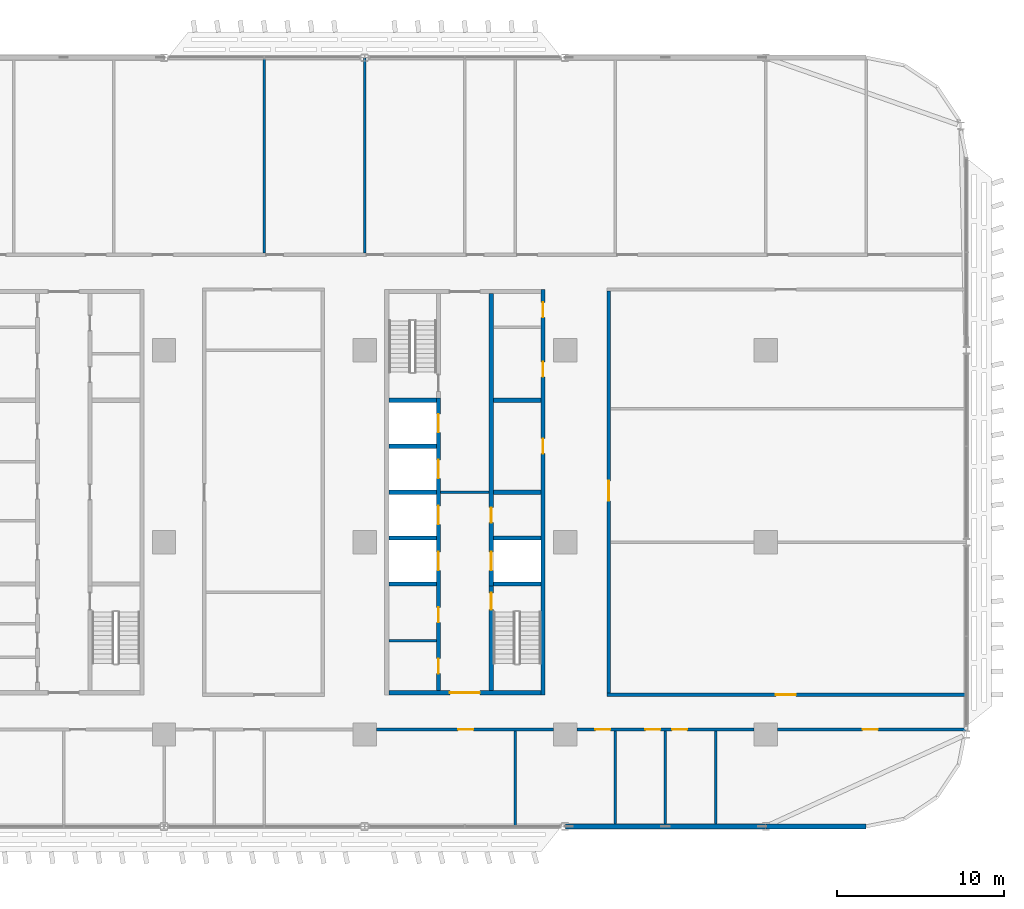
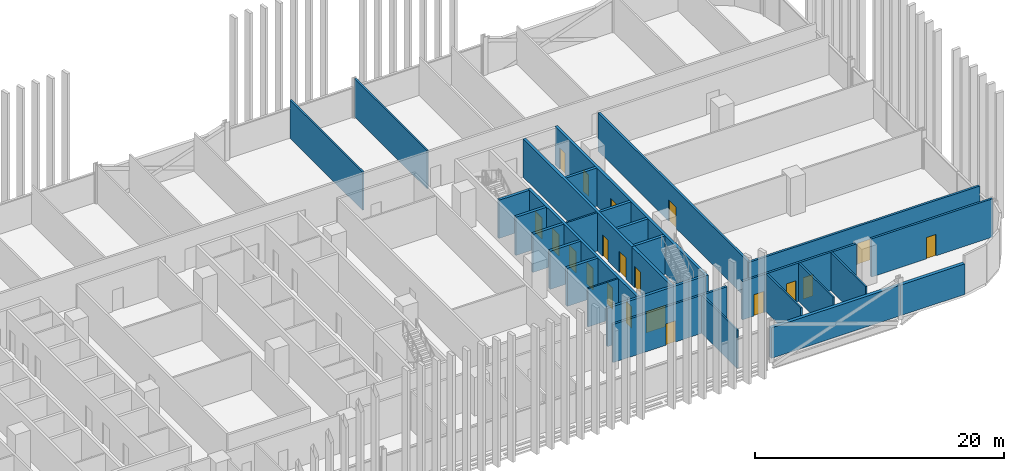
# One storey, part 16 of 31: 29 walls, 20 doors, 20 openings.
"""IFC4 building model written with IfcOpenShell, lengths in metres."""

from ifc_helpers import new_model, si_unit, direction, frame, frame_2d, origin, place, context, subcontext, project, spatial, rectangle, extrude, material, layer, layer_set, type_object, element, fill, save


model = new_model("IFC4")

# Units and contexts
model_context = context("Model", 3, precision=1e-05, world=origin(), true_north=direction((0.0, 1.0)))
body_context = subcontext(model_context, "Body", "Model", "MODEL_VIEW")
ifc_project = project(units=[si_unit("LENGTHUNIT", "METRE"), si_unit("AREAUNIT", "SQUARE_METRE"), si_unit("VOLUMEUNIT", "CUBIC_METRE"), si_unit("PLANEANGLEUNIT", "RADIAN"), si_unit("MASSUNIT", "GRAM", prefix="KILO")], contexts=[model_context])

# Site, building, storey
site_placement = place(None, origin())
site = spatial("IfcSite", under=ifc_project, at=site_placement, CompositionType="ELEMENT")
building_placement = place(site_placement, origin())
building = spatial("IfcBuilding", under=site, at=building_placement, Name="Mahtab Terrace Research Tower", CompositionType="ELEMENT")
storey_placement = place(building_placement, frame((0.0, 0.0, 101.199951171875)))
storey = spatial("IfcBuildingStorey", under=building, at=storey_placement, Name="L23", CompositionType="ELEMENT", Elevation=101.199951171875)

# Walls
ifc_material_1 = material(Name="Gypsum board partition")
ifc_layer_1 = layer(ifc_material_1, 0.14990234375)
ifc_layer_set_1 = layer_set([ifc_layer_1], Name="Core partition 150")
wall_type_1 = type_object("IfcWallType", Name="Core partition 150", PredefinedType="PARTITIONING", material=ifc_layer_set_1)
wall_1_placement = place(storey_placement, frame((22.550048828125, 3.0, 0.0), z_axis=(0.0, 0.0, 1.0), x_axis=(1.0, 0.0, 0.0)))
element("IfcWall", 1, at=wall_1_placement, inside=storey, type_object=wall_type_1, Name="Core wall C ffl", PredefinedType="PARTITIONING", context=body_context, shape_type="SweptSolid", body=[
    extrude(rectangle(XDim=2.89990234375, YDim=0.14990234375, at=frame_2d((1.449951171875, 0.0))), origin(), (0.0, 0.0, 1.0), 3.760009765625),
])
wall_2_placement = place(storey_placement, frame((19.449951171875, -5.875, 0.0), z_axis=(0.0, 0.0, 1.0), x_axis=(1.0, 0.0, 0.0)))
element("IfcWall", 2, at=wall_2_placement, inside=storey, type_object=wall_type_1, Name="Core wall C pWS-888", PredefinedType="PARTITIONING", context=body_context, shape_type="SweptSolid", body=[
    extrude(rectangle(XDim=2.85009765625, YDim=0.14990234375, at=frame_2d((1.425048828125, 0.0))), origin(), (0.0, 0.0, 1.0), 3.760009765625),
])

# Wall, openings, doors
ifc_material_2 = material(Name="Concrete C70/85", Category="concrete")
ifc_layer_2 = layer(ifc_material_2, 0.25)
ifc_layer_set_2 = layer_set([ifc_layer_2], Name="Core wall 250")
wall_type_2 = type_object("IfcWallType", Name="Core wall 250", PredefinedType="SOLIDWALL", material=ifc_layer_set_2)
wall_3_placement = place(storey_placement, frame((28.675048828125, -9.125, 0.0), z_axis=(0.0, 0.0, 1.0), x_axis=(0.0, 1.0, 0.0)))
wall_3 = element("IfcWall", 3, at=wall_3_placement, inside=storey, type_object=wall_type_2, Name="Core wall C outerE", PredefinedType="SOLIDWALL", context=body_context, shape_type="SweptSolid", body=[
    extrude(rectangle(XDim=24.25, YDim=0.25, at=frame_2d((12.125, 0.0))), origin(), (0.0, 0.0, 1.0), 3.760009765625),
])
opening_1_placement = place(wall_3_placement, frame((14.425048828125, 0.0, 0.0)))
opening_1 = element("IfcOpeningElement", 4, at=opening_1_placement, cuts=wall_3, Name="Opening C-R2", PredefinedType="OPENING", context=body_context, shape_type="SweptSolid", body=[
    extrude(rectangle(XDim=0.89990234375, YDim=2.10009765625, at=frame_2d((0.449951171875, 1.050048828125))), frame((0.0, 0.135009765625, 0.0), z_axis=(0.0, -1.0, 0.0), x_axis=(1.0, 0.0, 0.0)), (0.0, 0.0, 1.0), 0.27001953125),
])
opening_2_placement = place(wall_3_placement, frame((19.02490234375, 0.0, 0.0)))
opening_2 = element("IfcOpeningElement", 5, at=opening_2_placement, cuts=wall_3, Name="Opening C-R5", PredefinedType="OPENING", context=body_context, shape_type="SweptSolid", body=[
    extrude(rectangle(XDim=0.89990234375, YDim=2.10009765625, at=frame_2d((0.449951171875, 1.050048828125))), frame((0.0, 0.135009765625, 0.0), z_axis=(0.0, -1.0, 0.0), x_axis=(1.0, 0.0, 0.0)), (0.0, 0.0, 1.0), 0.27001953125),
])
opening_3_placement = place(wall_3_placement, frame((22.58740234375, 0.0, 0.0)))
opening_3 = element("IfcOpeningElement", 6, at=opening_3_placement, cuts=wall_3, Name="Opening C-R6", PredefinedType="OPENING", context=body_context, shape_type="SweptSolid", body=[
    extrude(rectangle(XDim=0.89990234375, YDim=2.10009765625, at=frame_2d((0.449951171875, 1.050048828125))), frame((0.0, 0.135009765625, 0.0), z_axis=(0.0, -1.0, 0.0), x_axis=(1.0, 0.0, 0.0)), (0.0, 0.0, 1.0), 0.27001953125),
])
ifc_material_3 = material(Name="Steel fire door", Category="steel")
door_type_1 = type_object("IfcDoorType", Name="Room door 900x2100 1 HR", OperationType="NOTDEFINED", PredefinedType="DOOR", material=ifc_material_3)
door_1_placement = place(opening_1_placement, origin())
door_1 = element("IfcDoor", 7, at=door_1_placement, inside=storey, type_object=door_type_1, Name="Plant room door", OperationType="SINGLE_SWING_RIGHT", OverallHeight=2.10009765625, OverallWidth=0.89990234375, PredefinedType="DOOR", context=body_context, shape_type="SweptSolid", body=[
    extrude(rectangle(XDim=0.89990234375, YDim=2.10009765625, at=frame_2d((0.449951171875, 1.050048828125))), frame((0.0, 0.02490234375, 0.0), z_axis=(0.0, -1.0, 0.0), x_axis=(1.0, 0.0, 0.0)), (0.0, 0.0, 1.0), 0.050048828125),
])
fill(opening_1, door_1)
door_2_placement = place(opening_2_placement, origin())
door_2 = element("IfcDoor", 8, at=door_2_placement, inside=storey, type_object=door_type_1, Name="IT equipment room door", OperationType="SINGLE_SWING_LEFT", OverallHeight=2.10009765625, OverallWidth=0.89990234375, PredefinedType="DOOR", context=body_context, shape_type="SweptSolid", body=[
    extrude(rectangle(XDim=0.89990234375, YDim=2.10009765625, at=frame_2d((0.449951171875, 1.050048828125))), frame((0.0, 0.02490234375, 0.0), z_axis=(0.0, -1.0, 0.0), x_axis=(1.0, 0.0, 0.0)), (0.0, 0.0, 1.0), 0.050048828125),
])
fill(opening_2, door_2)
door_3_placement = place(opening_3_placement, origin())
door_3 = element("IfcDoor", 9, at=door_3_placement, inside=storey, type_object=door_type_1, Name="Electrical riser room door", OperationType="SINGLE_SWING_RIGHT", OverallHeight=2.10009765625, OverallWidth=0.89990234375, PredefinedType="DOOR", context=body_context, shape_type="SweptSolid", body=[
    extrude(rectangle(XDim=0.89990234375, YDim=2.10009765625, at=frame_2d((0.449951171875, 1.050048828125))), frame((0.0, 0.02490234375, 0.0), z_axis=(0.0, -1.0, 0.0), x_axis=(1.0, 0.0, 0.0)), (0.0, 0.0, 1.0), 0.050048828125),
])
fill(opening_3, door_3)

# Wall, opening, door
wall_4_placement = place(storey_placement, frame((28.550048828125, -9.0, 0.0), z_axis=(0.0, 0.0, 1.0), x_axis=(-1.0, 0.0, 0.0)))
wall_4 = element("IfcWall", 10, at=wall_4_placement, inside=storey, type_object=wall_type_2, Name="Core wall C endS", PredefinedType="SOLIDWALL", context=body_context, shape_type="SweptSolid", body=[
    extrude(rectangle(XDim=9.10009765625, YDim=0.25, at=frame_2d((4.550048828125, 0.0))), origin(), (0.0, 0.0, 1.0), 3.760009765625),
])
opening_4_placement = place(wall_4_placement, frame((3.64990234375, 0.0, 0.0)))
opening_4 = element("IfcOpeningElement", 11, at=opening_4_placement, cuts=wall_4, Name="Opening C-S1", PredefinedType="OPENING", context=body_context, shape_type="SweptSolid", body=[
    extrude(rectangle(XDim=1.800048828125, YDim=2.10009765625, at=frame_2d((0.89990234375, 1.050048828125))), frame((0.0, 0.135009765625, 0.0), z_axis=(0.0, -1.0, 0.0), x_axis=(1.0, 0.0, 0.0)), (0.0, 0.0, 1.0), 0.27001953125),
])
door_type_2 = type_object("IfcDoorType", Name="Lobby double door 1800x2100 1 HR", OperationType="DOUBLE_DOOR_SINGLE_SWING", PredefinedType="DOOR", material=ifc_material_3)
door_4_placement = place(opening_4_placement, origin())
door_4 = element("IfcDoor", 12, at=door_4_placement, inside=storey, type_object=door_type_2, Name="Core entrance door C S", OperationType="DOUBLE_DOOR_SINGLE_SWING", OverallHeight=2.10009765625, OverallWidth=1.800048828125, PredefinedType="DOOR", context=body_context, shape_type="SweptSolid", body=[
    extrude(rectangle(XDim=1.800048828125, YDim=2.10009765625, at=frame_2d((0.89990234375, 1.050048828125))), frame((0.0, 0.02490234375, 0.0), z_axis=(0.0, -1.0, 0.0), x_axis=(1.0, 0.0, 0.0)), (0.0, 0.0, 1.0), 0.050048828125),
])
fill(opening_4, door_4)

# Wall, openings, doors
wall_5_placement = place(storey_placement, frame((22.425048828125, -8.875, 0.0), z_axis=(0.0, 0.0, 1.0), x_axis=(0.0, 1.0, 0.0)))
wall_5 = element("IfcWall", 13, at=wall_5_placement, inside=storey, type_object=wall_type_2, Name="Core wall C innerWSL", PredefinedType="SOLIDWALL", context=body_context, shape_type="SweptSolid", body=[
    extrude(rectangle(XDim=17.5, YDim=0.25, at=frame_2d((8.75, 0.0))), origin(), (0.0, 0.0, 1.0), 3.760009765625),
])
opening_5_placement = place(wall_5_placement, frame((7.199951171875, 0.0, 0.0)))
opening_5 = element("IfcOpeningElement", 14, at=opening_5_placement, cuts=wall_5, Name="Opening LD17-L23", PredefinedType="OPENING", context=body_context, shape_type="SweptSolid", body=[
    extrude(rectangle(XDim=1.10009765625, YDim=2.10009765625, at=frame_2d((0.550048828125, 1.050048828125))), frame((0.0, 0.135009765625, 0.0), z_axis=(0.0, -1.0, 0.0), x_axis=(1.0, 0.0, 0.0)), (0.0, 0.0, 1.0), 0.27001953125),
])
opening_6_placement = place(wall_5_placement, frame((9.949951171875, 0.0, 0.0)))
opening_6 = element("IfcOpeningElement", 15, at=opening_6_placement, cuts=wall_5, Name="Opening LD18-L23", PredefinedType="OPENING", context=body_context, shape_type="SweptSolid", body=[
    extrude(rectangle(XDim=1.10009765625, YDim=2.10009765625, at=frame_2d((0.550048828125, 1.050048828125))), frame((0.0, 0.135009765625, 0.0), z_axis=(0.0, -1.0, 0.0), x_axis=(1.0, 0.0, 0.0)), (0.0, 0.0, 1.0), 0.27001953125),
])
opening_7_placement = place(wall_5_placement, frame((12.699951171875, 0.0, 0.0)))
opening_7 = element("IfcOpeningElement", 16, at=opening_7_placement, cuts=wall_5, Name="Opening LD19-L23", PredefinedType="OPENING", context=body_context, shape_type="SweptSolid", body=[
    extrude(rectangle(XDim=1.10009765625, YDim=2.10009765625, at=frame_2d((0.550048828125, 1.050048828125))), frame((0.0, 0.135009765625, 0.0), z_axis=(0.0, -1.0, 0.0), x_axis=(1.0, 0.0, 0.0)), (0.0, 0.0, 1.0), 0.27001953125),
])
opening_8_placement = place(wall_5_placement, frame((15.449951171875, 0.0, 0.0)))
opening_8 = element("IfcOpeningElement", 17, at=opening_8_placement, cuts=wall_5, Name="Opening LD20-L23", PredefinedType="OPENING", context=body_context, shape_type="SweptSolid", body=[
    extrude(rectangle(XDim=1.10009765625, YDim=2.10009765625, at=frame_2d((0.550048828125, 1.050048828125))), frame((0.0, 0.135009765625, 0.0), z_axis=(0.0, -1.0, 0.0), x_axis=(1.0, 0.0, 0.0)), (0.0, 0.0, 1.0), 0.27001953125),
])
opening_9_placement = place(wall_5_placement, frame((1.012451171875, 0.0, 0.0)))
opening_9 = element("IfcOpeningElement", 18, at=opening_9_placement, cuts=wall_5, Name="Opening C-R3", PredefinedType="OPENING", context=body_context, shape_type="SweptSolid", body=[
    extrude(rectangle(XDim=0.89990234375, YDim=2.10009765625, at=frame_2d((0.449951171875, 1.050048828125))), frame((0.0, 0.135009765625, 0.0), z_axis=(0.0, -1.0, 0.0), x_axis=(1.0, 0.0, 0.0)), (0.0, 0.0, 1.0), 0.27001953125),
])
opening_10_placement = place(wall_5_placement, frame((4.08740234375, 0.0, 0.0)))
opening_10 = element("IfcOpeningElement", 19, at=opening_10_placement, cuts=wall_5, Name="Opening C-R4", PredefinedType="OPENING", context=body_context, shape_type="SweptSolid", body=[
    extrude(rectangle(XDim=0.89990234375, YDim=2.10009765625, at=frame_2d((0.449951171875, 1.050048828125))), frame((0.0, 0.135009765625, 0.0), z_axis=(0.0, -1.0, 0.0), x_axis=(1.0, 0.0, 0.0)), (0.0, 0.0, 1.0), 0.27001953125),
])
ifc_material_4 = material(Name="Stainless steel AISI 304", Category="steel")
door_type_3 = type_object("IfcDoorType", Name="Landing door 1100x2100", OperationType="DOUBLE_DOOR_SLIDING", PredefinedType="DOOR", material=ifc_material_4)
door_5_placement = place(opening_5_placement, origin())
door_5 = element("IfcDoor", 20, at=door_5_placement, inside=storey, type_object=door_type_3, Name="Landing door SV1 L23", OperationType="DOUBLE_DOOR_SLIDING", OverallHeight=2.10009765625, OverallWidth=1.10009765625, PredefinedType="DOOR", context=body_context, shape_type="SweptSolid", body=[
    extrude(rectangle(XDim=1.10009765625, YDim=2.10009765625, at=frame_2d((0.550048828125, 1.050048828125))), frame((0.0, 0.02490234375, 0.0), z_axis=(0.0, -1.0, 0.0), x_axis=(1.0, 0.0, 0.0)), (0.0, 0.0, 1.0), 0.050048828125),
])
fill(opening_5, door_5)
door_6_placement = place(opening_6_placement, origin())
door_6 = element("IfcDoor", 21, at=door_6_placement, inside=storey, type_object=door_type_3, Name="Landing door SV2 L23", OperationType="DOUBLE_DOOR_SLIDING", OverallHeight=2.10009765625, OverallWidth=1.10009765625, PredefinedType="DOOR", context=body_context, shape_type="SweptSolid", body=[
    extrude(rectangle(XDim=1.10009765625, YDim=2.10009765625, at=frame_2d((0.550048828125, 1.050048828125))), frame((0.0, 0.02490234375, 0.0), z_axis=(0.0, -1.0, 0.0), x_axis=(1.0, 0.0, 0.0)), (0.0, 0.0, 1.0), 0.050048828125),
])
fill(opening_6, door_6)
door_7_placement = place(opening_7_placement, origin())
door_7 = element("IfcDoor", 22, at=door_7_placement, inside=storey, type_object=door_type_3, Name="Landing door FF1 L23", OperationType="DOUBLE_DOOR_SLIDING", OverallHeight=2.10009765625, OverallWidth=1.10009765625, PredefinedType="DOOR", context=body_context, shape_type="SweptSolid", body=[
    extrude(rectangle(XDim=1.10009765625, YDim=2.10009765625, at=frame_2d((0.550048828125, 1.050048828125))), frame((0.0, 0.02490234375, 0.0), z_axis=(0.0, -1.0, 0.0), x_axis=(1.0, 0.0, 0.0)), (0.0, 0.0, 1.0), 0.050048828125),
])
fill(opening_7, door_7)
door_8_placement = place(opening_8_placement, origin())
door_8 = element("IfcDoor", 23, at=door_8_placement, inside=storey, type_object=door_type_3, Name="Landing door FF2 L23", OperationType="DOUBLE_DOOR_SLIDING", OverallHeight=2.10009765625, OverallWidth=1.10009765625, PredefinedType="DOOR", context=body_context, shape_type="SweptSolid", body=[
    extrude(rectangle(XDim=1.10009765625, YDim=2.10009765625, at=frame_2d((0.550048828125, 1.050048828125))), frame((0.0, 0.02490234375, 0.0), z_axis=(0.0, -1.0, 0.0), x_axis=(1.0, 0.0, 0.0)), (0.0, 0.0, 1.0), 0.050048828125),
])
fill(opening_8, door_8)
door_9_placement = place(opening_9_placement, origin())
door_9 = element("IfcDoor", 24, at=door_9_placement, inside=storey, type_object=door_type_1, Name="Staff WC door", OperationType="SINGLE_SWING_LEFT", OverallHeight=2.10009765625, OverallWidth=0.89990234375, PredefinedType="DOOR", context=body_context, shape_type="SweptSolid", body=[
    extrude(rectangle(XDim=0.89990234375, YDim=2.10009765625, at=frame_2d((0.449951171875, 1.050048828125))), frame((0.0, 0.02490234375, 0.0), z_axis=(0.0, -1.0, 0.0), x_axis=(1.0, 0.0, 0.0)), (0.0, 0.0, 1.0), 0.050048828125),
])
fill(opening_9, door_9)
door_10_placement = place(opening_10_placement, origin())
door_10 = element("IfcDoor", 25, at=door_10_placement, inside=storey, type_object=door_type_1, Name="Accessible WC door", OperationType="SINGLE_SWING_RIGHT", OverallHeight=2.10009765625, OverallWidth=0.89990234375, PredefinedType="DOOR", context=body_context, shape_type="SweptSolid", body=[
    extrude(rectangle(XDim=0.89990234375, YDim=2.10009765625, at=frame_2d((0.449951171875, 1.050048828125))), frame((0.0, 0.02490234375, 0.0), z_axis=(0.0, -1.0, 0.0), x_axis=(1.0, 0.0, 0.0)), (0.0, 0.0, 1.0), 0.050048828125),
])
fill(opening_10, door_10)

# Wall, opening, door
wall_6_placement = place(storey_placement, frame((25.574951171875, -8.875, 0.0), z_axis=(0.0, 0.0, 1.0), x_axis=(0.0, 1.0, 0.0)))
wall_6 = element("IfcWall", 26, at=wall_6_placement, inside=storey, type_object=wall_type_2, Name="Core wall C innerES", PredefinedType="SOLIDWALL", context=body_context, shape_type="SweptSolid", body=[
    extrude(rectangle(XDim=6.25, YDim=0.25, at=frame_2d((3.125, 0.0))), origin(), (0.0, 0.0, 1.0), 3.760009765625),
])
opening_11_placement = place(wall_6_placement, frame((4.85009765625, 0.0, 0.0)))
opening_11 = element("IfcOpeningElement", 27, at=opening_11_placement, cuts=wall_6, Name="Opening C-ST4", PredefinedType="OPENING", context=body_context, shape_type="SweptSolid", body=[
    extrude(rectangle(XDim=1.0, YDim=2.10009765625, at=frame_2d((0.5, 1.050048828125))), frame((0.0, 0.135009765625, 0.0), z_axis=(0.0, -1.0, 0.0), x_axis=(1.0, 0.0, 0.0)), (0.0, 0.0, 1.0), 0.27001953125),
])
door_type_4 = type_object("IfcDoorType", Name="Stair door 1000x2100 1.5 HR", OperationType="NOTDEFINED", PredefinedType="DOOR", material=ifc_material_3)
door_11_placement = place(opening_11_placement, origin())
door_11 = element("IfcDoor", 28, at=door_11_placement, inside=storey, type_object=door_type_4, Name="Stair door ST4 L23", OperationType="SINGLE_SWING_RIGHT", OverallHeight=2.10009765625, OverallWidth=1.0, PredefinedType="DOOR", context=body_context, shape_type="SweptSolid", body=[
    extrude(rectangle(XDim=1.0, YDim=2.10009765625, at=frame_2d((0.5, 1.050048828125))), frame((0.0, 0.02490234375, 0.0), z_axis=(0.0, -1.0, 0.0), x_axis=(1.0, 0.0, 0.0)), (0.0, 0.0, 1.0), 0.050048828125),
])
fill(opening_11, door_11)

# Wall, openings, doors
wall_7_placement = place(storey_placement, frame((25.574951171875, 14.875, 0.0), z_axis=(0.0, 0.0, 1.0), x_axis=(0.0, -1.0, 0.0)))
wall_7 = element("IfcWall", 29, at=wall_7_placement, inside=storey, type_object=wall_type_2, Name="Core wall C innerELN", PredefinedType="SOLIDWALL", context=body_context, shape_type="SweptSolid", body=[
    extrude(rectangle(XDim=17.5, YDim=0.25, at=frame_2d((8.75, 0.0))), origin(), (0.0, 0.0, 1.0), 3.760009765625),
])
opening_12_placement = place(wall_7_placement, frame((15.449951171875, 0.0, 0.0)))
opening_12 = element("IfcOpeningElement", 30, at=opening_12_placement, cuts=wall_7, Name="Opening LD21-L23", PredefinedType="OPENING", context=body_context, shape_type="SweptSolid", body=[
    extrude(rectangle(XDim=1.10009765625, YDim=2.10009765625, at=frame_2d((0.550048828125, 1.050048828125))), frame((0.0, 0.135009765625, 0.0), z_axis=(0.0, -1.0, 0.0), x_axis=(1.0, 0.0, 0.0)), (0.0, 0.0, 1.0), 0.27001953125),
])
opening_13_placement = place(wall_7_placement, frame((12.800048828125, 0.0, 0.0)))
opening_13 = element("IfcOpeningElement", 31, at=opening_13_placement, cuts=wall_7, Name="Opening C-R1", PredefinedType="OPENING", context=body_context, shape_type="SweptSolid", body=[
    extrude(rectangle(XDim=0.89990234375, YDim=2.10009765625, at=frame_2d((0.449951171875, 1.050048828125))), frame((0.0, 0.135009765625, 0.0), z_axis=(0.0, -1.0, 0.0), x_axis=(1.0, 0.0, 0.0)), (0.0, 0.0, 1.0), 0.27001953125),
])
door_12_placement = place(opening_12_placement, origin())
door_12 = element("IfcDoor", 32, at=door_12_placement, inside=storey, type_object=door_type_3, Name="Landing door SV3 L23", OperationType="DOUBLE_DOOR_SLIDING", OverallHeight=2.10009765625, OverallWidth=1.10009765625, PredefinedType="DOOR", context=body_context, shape_type="SweptSolid", body=[
    extrude(rectangle(XDim=1.10009765625, YDim=2.10009765625, at=frame_2d((0.550048828125, 1.050048828125))), frame((0.0, 0.02490234375, 0.0), z_axis=(0.0, -1.0, 0.0), x_axis=(1.0, 0.0, 0.0)), (0.0, 0.0, 1.0), 0.050048828125),
])
fill(opening_12, door_12)
door_13_placement = place(opening_13_placement, origin())
door_13 = element("IfcDoor", 33, at=door_13_placement, inside=storey, type_object=door_type_1, Name="Plant room door", OperationType="SINGLE_SWING_LEFT", OverallHeight=2.10009765625, OverallWidth=0.89990234375, PredefinedType="DOOR", context=body_context, shape_type="SweptSolid", body=[
    extrude(rectangle(XDim=0.89990234375, YDim=2.10009765625, at=frame_2d((0.449951171875, 1.050048828125))), frame((0.0, 0.02490234375, 0.0), z_axis=(0.0, -1.0, 0.0), x_axis=(1.0, 0.0, 0.0)), (0.0, 0.0, 1.0), 0.050048828125),
])
fill(opening_13, door_13)

# Walls
for number, where, z_axis, x_axis, name in (
    (34, (19.449951171875, -2.5, 0.0), (0.0, 0.0, 1.0), (1.0, 0.0, 0.0), "Core wall C divW0"),
    (35, (19.449951171875, 0.25, 0.0), (0.0, 0.0, 1.0), (1.0, 0.0, 0.0), "Core wall C divW1"),
    (36, (19.449951171875, 3.0, 0.0), (0.0, 0.0, 1.0), (1.0, 0.0, 0.0), "Core wall C divW2"),
    (37, (19.449951171875, 5.75, 0.0), (0.0, 0.0, 1.0), (1.0, 0.0, 0.0), "Core wall C divW3"),
    (38, (19.449951171875, 8.5, 0.0), (0.0, 0.0, 1.0), (1.0, 0.0, 0.0), "Core wall C divW4"),
    (39, (25.699951171875, -2.5, 0.0), (0.0, 0.0, 1.0), (1.0, 0.0, 0.0), "Core wall C divE0"),
    (40, (25.699951171875, 0.25, 0.0), (0.0, 0.0, 1.0), (1.0, 0.0, 0.0), "Core wall C divE1"),
    (41, (25.699951171875, 3.0, 0.0), (0.0, 0.0, 1.0), (1.0, 0.0, 0.0), "Core wall C divE2"),
    (42, (25.699951171875, 8.5, 0.0), (0.0, 0.0, 1.0), (1.0, 0.0, 0.0), "Core wall C divE4"),
):
    element("IfcWall", number, at=place(storey_placement, frame(where, z_axis=z_axis, x_axis=x_axis)), inside=storey, type_object=wall_type_2, Name=name, PredefinedType="SOLIDWALL", context=body_context, shape_type="SweptSolid", body=[
        extrude(rectangle(XDim=2.85009765625, YDim=0.25, at=frame_2d((1.425048828125, 0.0))), origin(), (0.0, 0.0, 1.0), 3.760009765625),
    ])
ifc_material_5 = material(Name="Black aluminium cladding panel", Category="aluminium")
ifc_layer_3 = layer(ifc_material_5, 0.300048828125)
ifc_layer_set_3 = layer_set([ifc_layer_3], Name="Opaque facade wall 300")
wall_type_3 = type_object("IfcWallType", Name="Opaque facade wall 300", PredefinedType="NOTDEFINED", material=ifc_layer_set_3)
wall_8_placement = place(storey_placement, frame((30.02099609375, -17.0, 0.0), z_axis=(0.0, 0.0, 1.0), x_axis=(1.0, 0.0, 0.0)))
element("IfcWall", 43, at=wall_8_placement, inside=storey, type_object=wall_type_3, Name="Opaque facade wall L23 S29", PredefinedType="NOTDEFINED", context=body_context, shape_type="SweptSolid", body=[
    extrude(rectangle(XDim=11.9580078125, YDim=0.300048828125, at=frame_2d((5.97900390625, 0.0))), origin(), (0.0, 0.0, 1.0), 3.003173828125),
])
wall_9_placement = place(storey_placement, frame((42.02099609375, -17.0, 0.0), z_axis=(0.0, 0.0, 1.0), x_axis=(1.0, 0.0, 0.0)))
element("IfcWall", 44, at=wall_9_placement, inside=storey, type_object=wall_type_3, Name="Opaque facade wall L23 S30", PredefinedType="NOTDEFINED", context=body_context, shape_type="SweptSolid", body=[
    extrude(rectangle(XDim=5.97900390625, YDim=0.300048828125, at=frame_2d((2.989501953125, 0.0))), origin(), (0.0, 0.0, 1.0), 3.003173828125),
])

# Wall, opening, door
ifc_material_6 = material(Name="Gypsum board corridor wall on steel studs", Category="steel")
ifc_layer_4 = layer(ifc_material_6, 0.199951171875)
ifc_layer_set_4 = layer_set([ifc_layer_4], Name="WALL CORRIDOR 200")
wall_type_4 = type_object("IfcWallType", Name="WALL CORRIDOR 200", PredefinedType="PARTITIONING", material=ifc_layer_set_4)
wall_10_placement = place(storey_placement, frame((18.699951171875, -11.199951171875, 0.0), z_axis=(0.0, 0.0, 1.0), x_axis=(1.0, 0.0, 0.0)))
wall_10 = element("IfcWall", 45, at=wall_10_placement, inside=storey, type_object=wall_type_4, Name="L23-W006", PredefinedType="PARTITIONING", context=body_context, shape_type="SweptSolid", body=[
    extrude(rectangle(XDim=10.60009765625, YDim=0.199951171875, at=frame_2d((5.300048828125, 0.0))), origin(), (0.0, 0.0, 1.0), 3.760009765625),
])
opening_14_placement = place(wall_10_placement, frame((4.89990234375, 0.0, 0.0)))
opening_14 = element("IfcOpeningElement", 46, at=opening_14_placement, cuts=wall_10, Name="Opening L23-109", PredefinedType="OPENING", context=body_context, shape_type="SweptSolid", body=[
    extrude(rectangle(XDim=0.89990234375, YDim=2.10009765625, at=frame_2d((0.449951171875, 1.050048828125))), frame((0.0, 0.10986328125, 0.0), z_axis=(0.0, -1.0, 0.0), x_axis=(1.0, 0.0, 0.0)), (0.0, 0.0, 1.0), 0.219970703125),
])
ifc_material_7 = material(Name="Timber door leaf in steel frame", Category="steel")
door_type_5 = type_object("IfcDoorType", Name="DOOR 0900X2100 FD30S", OperationType="SINGLE_SWING_LEFT", PredefinedType="DOOR", material=ifc_material_7)
door_14_placement = place(opening_14_placement, origin())
door_14 = element("IfcDoor", 47, at=door_14_placement, inside=storey, type_object=door_type_5, Name="Door L23-109", OperationType="SINGLE_SWING_LEFT", OverallHeight=2.10009765625, OverallWidth=0.89990234375, PredefinedType="DOOR", context=body_context, shape_type="SweptSolid", body=[
    extrude(rectangle(XDim=0.89990234375, YDim=2.10009765625, at=frame_2d((0.449951171875, 1.050048828125))), frame((0.0, 0.02490234375, 0.0), z_axis=(0.0, -1.0, 0.0), x_axis=(1.0, 0.0, 0.0)), (0.0, 0.0, 1.0), 0.050048828125),
])
fill(opening_14, door_14)

# Wall, openings, doors
wall_11_placement = place(storey_placement, frame((30.699951171875, -11.199951171875, 0.0), z_axis=(0.0, 0.0, 1.0), x_axis=(1.0, 0.0, 0.0)))
wall_11 = element("IfcWall", 48, at=wall_11_placement, inside=storey, type_object=wall_type_4, Name="L23-W007", PredefinedType="PARTITIONING", context=body_context, shape_type="SweptSolid", body=[
    extrude(rectangle(XDim=10.60009765625, YDim=0.199951171875, at=frame_2d((5.300048828125, 0.0))), origin(), (0.0, 0.0, 1.0), 3.760009765625),
])
opening_15_placement = place(wall_11_placement, frame((1.10009765625, 0.0, 0.0)))
opening_15 = element("IfcOpeningElement", 49, at=opening_15_placement, cuts=wall_11, Name="Opening L23-110", PredefinedType="OPENING", context=body_context, shape_type="SweptSolid", body=[
    extrude(rectangle(XDim=0.89990234375, YDim=2.10009765625, at=frame_2d((0.449951171875, 1.050048828125))), frame((0.0, 0.10986328125, 0.0), z_axis=(0.0, -1.0, 0.0), x_axis=(1.0, 0.0, 0.0)), (0.0, 0.0, 1.0), 0.219970703125),
])
opening_16_placement = place(wall_11_placement, frame((4.10009765625, 0.0, 0.0)))
opening_16 = element("IfcOpeningElement", 50, at=opening_16_placement, cuts=wall_11, Name="Opening L23-111", PredefinedType="OPENING", context=body_context, shape_type="SweptSolid", body=[
    extrude(rectangle(XDim=0.89990234375, YDim=2.10009765625, at=frame_2d((0.449951171875, 1.050048828125))), frame((0.0, 0.10986328125, 0.0), z_axis=(0.0, -1.0, 0.0), x_axis=(1.0, 0.0, 0.0)), (0.0, 0.0, 1.0), 0.219970703125),
])
opening_17_placement = place(wall_11_placement, frame((5.699951171875, 0.0, 0.0)))
opening_17 = element("IfcOpeningElement", 51, at=opening_17_placement, cuts=wall_11, Name="Opening L23-112", PredefinedType="OPENING", context=body_context, shape_type="SweptSolid", body=[
    extrude(rectangle(XDim=0.89990234375, YDim=2.10009765625, at=frame_2d((0.449951171875, 1.050048828125))), frame((0.0, 0.10986328125, 0.0), z_axis=(0.0, -1.0, 0.0), x_axis=(1.0, 0.0, 0.0)), (0.0, 0.0, 1.0), 0.219970703125),
])
door_15_placement = place(opening_15_placement, origin())
door_15 = element("IfcDoor", 52, at=door_15_placement, inside=storey, type_object=door_type_5, Name="Door L23-110", OperationType="SINGLE_SWING_RIGHT", OverallHeight=2.10009765625, OverallWidth=0.89990234375, PredefinedType="DOOR", context=body_context, shape_type="SweptSolid", body=[
    extrude(rectangle(XDim=0.89990234375, YDim=2.10009765625, at=frame_2d((0.449951171875, 1.050048828125))), frame((0.0, 0.02490234375, 0.0), z_axis=(0.0, -1.0, 0.0), x_axis=(1.0, 0.0, 0.0)), (0.0, 0.0, 1.0), 0.050048828125),
])
fill(opening_15, door_15)
door_16_placement = place(opening_16_placement, origin())
door_16 = element("IfcDoor", 53, at=door_16_placement, inside=storey, type_object=door_type_5, Name="Door L23-111", OperationType="SINGLE_SWING_RIGHT", OverallHeight=2.10009765625, OverallWidth=0.89990234375, PredefinedType="DOOR", context=body_context, shape_type="SweptSolid", body=[
    extrude(rectangle(XDim=0.89990234375, YDim=2.10009765625, at=frame_2d((0.449951171875, 1.050048828125))), frame((0.0, 0.02490234375, 0.0), z_axis=(0.0, -1.0, 0.0), x_axis=(1.0, 0.0, 0.0)), (0.0, 0.0, 1.0), 0.050048828125),
])
fill(opening_16, door_16)
door_17_placement = place(opening_17_placement, origin())
door_17 = element("IfcDoor", 54, at=door_17_placement, inside=storey, type_object=door_type_5, Name="Door L23-112", OperationType="SINGLE_SWING_LEFT", OverallHeight=2.10009765625, OverallWidth=0.89990234375, PredefinedType="DOOR", context=body_context, shape_type="SweptSolid", body=[
    extrude(rectangle(XDim=0.89990234375, YDim=2.10009765625, at=frame_2d((0.449951171875, 1.050048828125))), frame((0.0, 0.02490234375, 0.0), z_axis=(0.0, -1.0, 0.0), x_axis=(1.0, 0.0, 0.0)), (0.0, 0.0, 1.0), 0.050048828125),
])
fill(opening_17, door_17)

# Wall, opening, door
wall_12_placement = place(storey_placement, frame((42.699951171875, -11.199951171875, 0.0), z_axis=(0.0, 0.0, 1.0), x_axis=(1.0, 0.0, 0.0)))
wall_12 = element("IfcWall", 55, at=wall_12_placement, inside=storey, type_object=wall_type_4, Name="L23-W008", PredefinedType="PARTITIONING", context=body_context, shape_type="SweptSolid", body=[
    extrude(rectangle(XDim=11.275146484375, YDim=0.199951171875, at=frame_2d((5.6376953125, 0.0))), origin(), (0.0, 0.0, 1.0), 3.760009765625),
])
opening_18_placement = place(wall_12_placement, frame((5.10009765625, 0.0, 0.0)))
opening_18 = element("IfcOpeningElement", 56, at=opening_18_placement, cuts=wall_12, Name="Opening L23-113", PredefinedType="OPENING", context=body_context, shape_type="SweptSolid", body=[
    extrude(rectangle(XDim=0.89990234375, YDim=2.10009765625, at=frame_2d((0.449951171875, 1.050048828125))), frame((0.0, 0.10986328125, 0.0), z_axis=(0.0, -1.0, 0.0), x_axis=(1.0, 0.0, 0.0)), (0.0, 0.0, 1.0), 0.219970703125),
])
door_18_placement = place(opening_18_placement, origin())
door_18 = element("IfcDoor", 57, at=door_18_placement, inside=storey, type_object=door_type_5, Name="Door L23-113", OperationType="SINGLE_SWING_RIGHT", OverallHeight=2.10009765625, OverallWidth=0.89990234375, PredefinedType="DOOR", context=body_context, shape_type="SweptSolid", body=[
    extrude(rectangle(XDim=0.89990234375, YDim=2.10009765625, at=frame_2d((0.449951171875, 1.050048828125))), frame((0.0, 0.02490234375, 0.0), z_axis=(0.0, -1.0, 0.0), x_axis=(1.0, 0.0, 0.0)), (0.0, 0.0, 1.0), 0.050048828125),
])
fill(opening_18, door_18)

wall_13_placement = place(storey_placement, frame((32.5, -9.125, 0.0), z_axis=(0.0, 0.0, 1.0), x_axis=(1.0, 0.0, 0.0)))
wall_13 = element("IfcWall", 58, at=wall_13_placement, inside=storey, type_object=wall_type_4, Name="L23-W012", PredefinedType="PARTITIONING", context=body_context, shape_type="SweptSolid", body=[
    extrude(rectangle(XDim=21.47509765625, YDim=0.199951171875, at=frame_2d((10.737548828125, 0.0))), origin(), (0.0, 0.0, 1.0), 3.760009765625),
])
opening_19_placement = place(wall_13_placement, frame((10.10009765625, 0.0, 0.0)))
opening_19 = element("IfcOpeningElement", 59, at=opening_19_placement, cuts=wall_13, Name="Opening L23-117", PredefinedType="OPENING", context=body_context, shape_type="SweptSolid", body=[
    extrude(rectangle(XDim=1.199951171875, YDim=2.10009765625, at=frame_2d((0.60009765625, 1.050048828125))), frame((0.0, 0.10986328125, 0.0), z_axis=(0.0, -1.0, 0.0), x_axis=(1.0, 0.0, 0.0)), (0.0, 0.0, 1.0), 0.219970703125),
])
door_type_6 = type_object("IfcDoorType", Name="DOOR 1200X2100 FD30S", OperationType="SINGLE_SWING_LEFT", PredefinedType="DOOR", material=ifc_material_7)
door_19_placement = place(opening_19_placement, origin())
door_19 = element("IfcDoor", 60, at=door_19_placement, inside=storey, type_object=door_type_6, Name="Door L23-117", OperationType="SINGLE_SWING_RIGHT", OverallHeight=2.10009765625, OverallWidth=1.199951171875, PredefinedType="DOOR", context=body_context, shape_type="SweptSolid", body=[
    extrude(rectangle(XDim=1.199951171875, YDim=2.10009765625, at=frame_2d((0.60009765625, 1.050048828125))), frame((0.0, 0.02490234375, 0.0), z_axis=(0.0, -1.0, 0.0), x_axis=(1.0, 0.0, 0.0)), (0.0, 0.0, 1.0), 0.050048828125),
])
fill(opening_19, door_19)

wall_14_placement = place(storey_placement, frame((32.60009765625, -9.02490234375, 0.0), z_axis=(0.0, 0.0, 1.0), x_axis=(0.0, 1.0, 0.0)))
wall_14 = element("IfcWall", 61, at=wall_14_placement, inside=storey, type_object=wall_type_4, Name="L23-W054", PredefinedType="PARTITIONING", context=body_context, shape_type="SweptSolid", body=[
    extrude(rectangle(XDim=24.0498046875, YDim=0.199951171875, at=frame_2d((12.02490234375, 0.0))), origin(), (0.0, 0.0, 1.0), 3.760009765625),
])
opening_20_placement = place(wall_14_placement, frame((11.5, 0.0, 0.0)))
opening_20 = element("IfcOpeningElement", 62, at=opening_20_placement, cuts=wall_14, Name="Opening L23-121", PredefinedType="OPENING", context=body_context, shape_type="SweptSolid", body=[
    extrude(rectangle(XDim=1.199951171875, YDim=2.10009765625, at=frame_2d((0.60009765625, 1.050048828125))), frame((0.0, 0.10986328125, 0.0), z_axis=(0.0, -1.0, 0.0), x_axis=(1.0, 0.0, 0.0)), (0.0, 0.0, 1.0), 0.219970703125),
])
door_20_placement = place(opening_20_placement, origin())
door_20 = element("IfcDoor", 63, at=door_20_placement, inside=storey, type_object=door_type_6, Name="Door L23-121", OperationType="SINGLE_SWING_LEFT", OverallHeight=2.10009765625, OverallWidth=1.199951171875, PredefinedType="DOOR", context=body_context, shape_type="SweptSolid", body=[
    extrude(rectangle(XDim=1.199951171875, YDim=2.10009765625, at=frame_2d((0.60009765625, 1.050048828125))), frame((0.0, 0.02490234375, 0.0), z_axis=(0.0, -1.0, 0.0), x_axis=(1.0, 0.0, 0.0)), (0.0, 0.0, 1.0), 0.050048828125),
])
fill(opening_20, door_20)

# Walls
ifc_material_8 = material(Name="Gypsum board partition on steel studs", Category="steel")
ifc_layer_5 = layer(ifc_material_8, 0.14990234375)
ifc_layer_set_5 = layer_set([ifc_layer_5], Name="WALL PARTITION 150")
wall_type_5 = type_object("IfcWallType", Name="WALL PARTITION 150", PredefinedType="PARTITIONING", material=ifc_layer_set_5)
for number, where, z_axis, x_axis, name in (
    (64, (12.0, 17.300048828125, 0.0), (0.0, 0.0, 1.0), (0.0, 1.0, 0.0), "L23-W048"),
    (65, (18.0, 17.300048828125, 0.0), (0.0, 0.0, 1.0), (0.0, 1.0, 0.0), "L23-W050"),
):
    element("IfcWall", number, at=place(storey_placement, frame(where, z_axis=z_axis, x_axis=x_axis)), inside=storey, type_object=wall_type_5, Name=name, PredefinedType="PARTITIONING", context=body_context, shape_type="SweptSolid", body=[
        extrude(rectangle(XDim=11.675048828125, YDim=0.14990234375, at=frame_2d((5.83740234375, 0.0))), origin(), (0.0, 0.0, 1.0), 3.760009765625),
    ])
wall_15_placement = place(storey_placement, frame((27.0, -16.97509765625, 0.0), z_axis=(0.0, 0.0, 1.0), x_axis=(0.0, 1.0, 0.0)))
element("IfcWall", 66, at=wall_15_placement, inside=storey, type_object=wall_type_5, Name="L23-W052", PredefinedType="PARTITIONING", context=body_context, shape_type="SweptSolid", body=[
    extrude(rectangle(XDim=5.675048828125, YDim=0.14990234375, at=frame_2d((2.83740234375, 0.0))), origin(), (0.0, 0.0, 1.0), 3.760009765625),
])
for number, where, z_axis, x_axis, name in (
    (67, (33.0, -16.85009765625, 0.0), (0.0, 0.0, 1.0), (0.0, 1.0, 0.0), "L23-W055"),
    (68, (36.0, -16.85009765625, 0.0), (0.0, 0.0, 1.0), (0.0, 1.0, 0.0), "L23-W057"),
    (69, (39.0, -16.85009765625, 0.0), (0.0, 0.0, 1.0), (0.0, 1.0, 0.0), "L23-W058"),
):
    element("IfcWall", number, at=place(storey_placement, frame(where, z_axis=z_axis, x_axis=x_axis)), inside=storey, type_object=wall_type_5, Name=name, PredefinedType="PARTITIONING", context=body_context, shape_type="SweptSolid", body=[
        extrude(rectangle(XDim=5.550048828125, YDim=0.14990234375, at=frame_2d((2.77490234375, 0.0))), origin(), (0.0, 0.0, 1.0), 3.760009765625),
    ])

save(model, "model.ifc")
